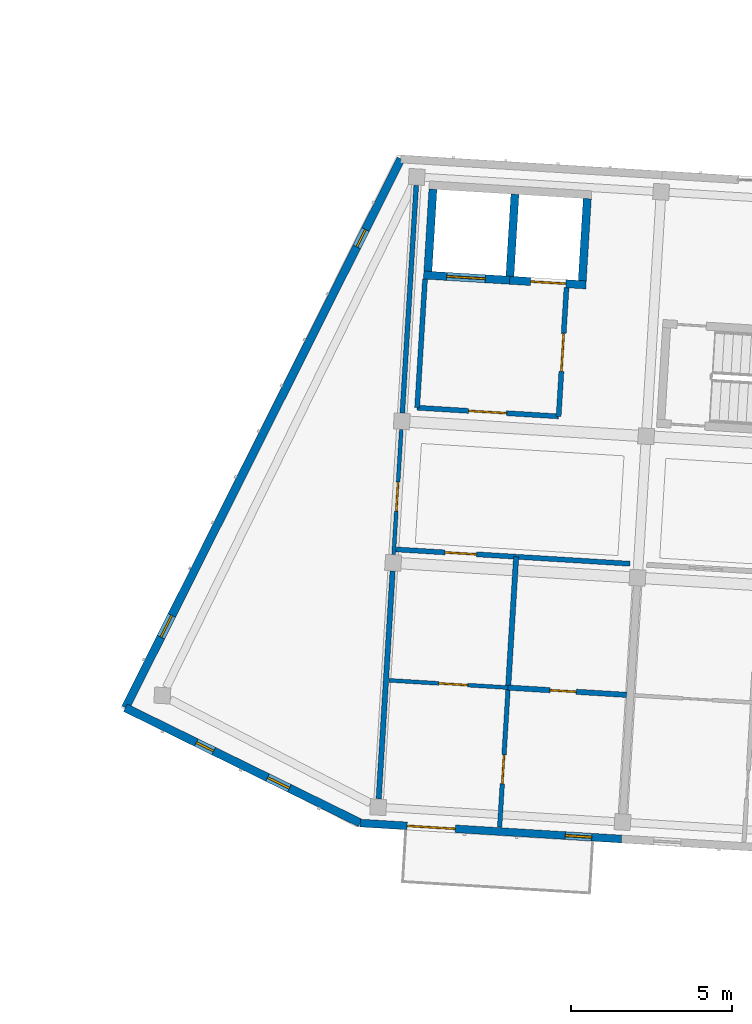
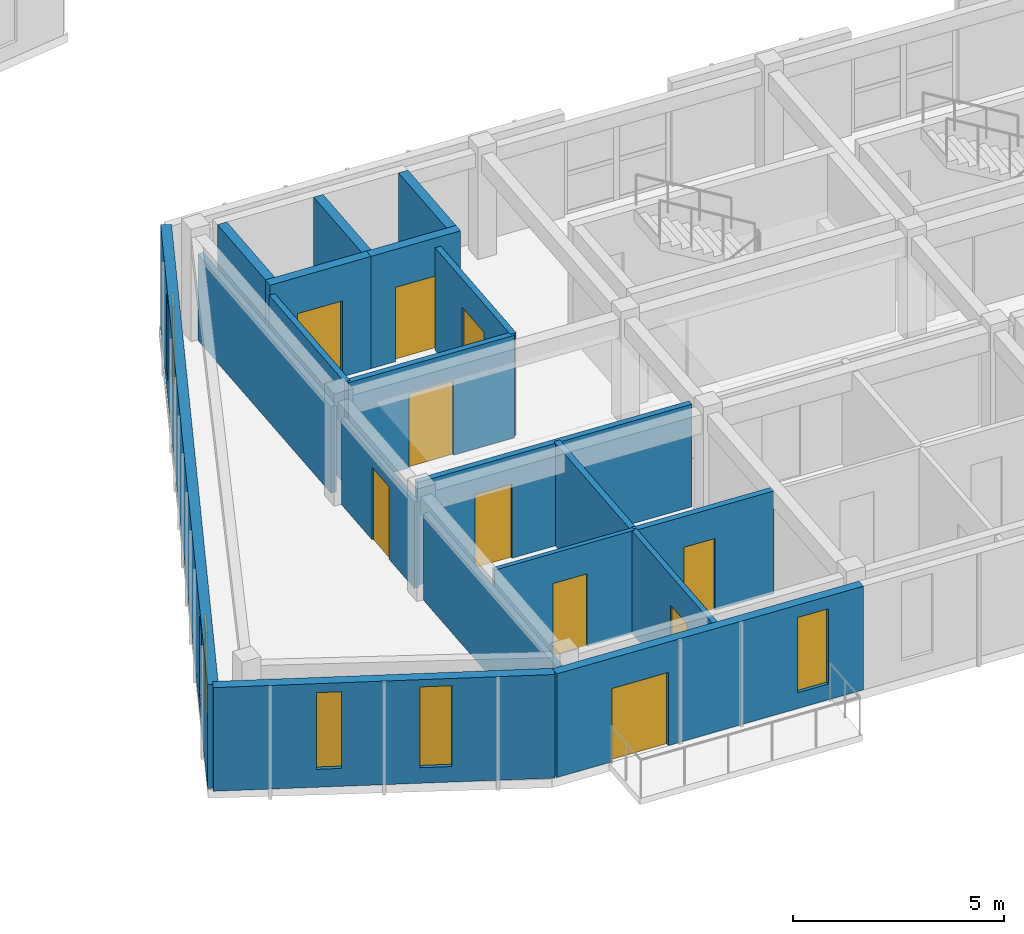
# One storey, part 20 of 66: 19 walls, 10 doors, 5 windows, 15 openings.
"""IFC4 building model written with IfcOpenShell, lengths in metres."""

from ifc_helpers import new_model, si_unit, direction, frame, frame_2d, origin, place, context, subcontext, project, spatial, rectangle, extrude, material, layer, layer_set, type_object, element, fill, save


model = new_model("IFC4")

# Units and contexts
model_context = context("Model", 3, precision=1e-05, world=origin(), true_north=direction((0.0, 1.0)))
body_context = subcontext(model_context, "Body", "Model", "MODEL_VIEW")
ifc_project = project(units=[si_unit("LENGTHUNIT", "METRE"), si_unit("AREAUNIT", "SQUARE_METRE"), si_unit("VOLUMEUNIT", "CUBIC_METRE"), si_unit("PLANEANGLEUNIT", "RADIAN"), si_unit("MASSUNIT", "GRAM", prefix="KILO")], contexts=[model_context])

# Site, building, storey
site_placement = place(None, origin())
site = spatial("IfcSite", under=ifc_project, at=site_placement, CompositionType="ELEMENT")
building_placement = place(site_placement, origin())
building = spatial("IfcBuilding", under=site, at=building_placement, Name="Kestramere Prow Commons", CompositionType="ELEMENT")
storey_placement = place(building_placement, frame((0.0, 0.0, 14.89990234375)))
storey = spatial("IfcBuildingStorey", under=building, at=storey_placement, Name="L04", CompositionType="ELEMENT", Elevation=14.89990234375)

# Wall, openings, windows
ifc_material_1 = material(Name="Weathered Zinc-Titanium Standing-Seam Cladding")
ifc_layer_1 = layer(ifc_material_1, 0.260009765625)
ifc_layer_set_1 = layer_set([ifc_layer_1], Name="Weathered Zinc-Titanium Standing-Seam Cladding")
wall_type_1 = type_object("IfcWallType", Name="EW-PROW-260", PredefinedType="SOLIDWALL", material=ifc_layer_set_1)
wall_1_placement = place(storey_placement, frame((58.94384765625, 46.008056640625, 0.0), z_axis=(0.0, 0.0, 1.0), x_axis=(-0.897775054318, 0.440454256246, 0.0)))
wall_1 = element("IfcWall", 1, at=wall_1_placement, inside=storey, type_object=wall_type_1, Name="Block C L04 PRW-S Facet Wall", PredefinedType="SOLIDWALL", context=body_context, shape_type="SweptSolid", body=[
    extrude(rectangle(XDim=8.120361328125, YDim=0.260009765625, at=frame_2d((4.06005859375, 0.0))), origin(), (0.0, 0.0, 1.0), 3.0),
])
opening_1_placement = place(wall_1_placement, frame((2.449951171875, 0.0, 0.449951171875)))
opening_1 = element("IfcOpeningElement", 2, at=opening_1_placement, cuts=wall_1, Name="Opening WN-10", PredefinedType="OPENING", context=body_context, shape_type="SweptSolid", body=[
    extrude(rectangle(XDim=0.760009765625, YDim=2.340087890625, at=frame_2d((0.3798828125, 1.169921875))), frame((0.0, 0.14501953125, 0.0), z_axis=(0.0, -1.0, 0.0), x_axis=(1.0, 0.0, 0.0)), (0.0, 0.0, 1.0), 0.2900390625),
])
opening_2_placement = place(wall_1_placement, frame((5.0703125, 0.0, 0.52001953125)))
opening_2 = element("IfcOpeningElement", 3, at=opening_2_placement, cuts=wall_1, Name="Opening WN-02", PredefinedType="OPENING", context=body_context, shape_type="SweptSolid", body=[
    extrude(rectangle(XDim=0.60009765625, YDim=2.219970703125, at=frame_2d((0.300048828125, 1.10986328125))), frame((0.0, 0.14501953125, 0.0), z_axis=(0.0, -1.0, 0.0), x_axis=(1.0, 0.0, 0.0)), (0.0, 0.0, 1.0), 0.2900390625),
])
ifc_material_2 = material(Name="Low-E Laminated Double Glazing", Category="glass")
window_type_1 = type_object("IfcWindowType", Name="WN-NAR-600A", PartitioningType="SINGLE_PANEL", PredefinedType="WINDOW", material=ifc_material_2)
window_1_placement = place(opening_2_placement, origin())
window_1 = element("IfcWindow", 4, at=window_1_placement, inside=storey, type_object=window_type_1, Name="WN-C-L04-PRW-S-1", OverallHeight=2.219970703125, OverallWidth=0.60009765625, PartitioningType="SINGLE_PANEL", PredefinedType="WINDOW", context=body_context, shape_type="SweptSolid", body=[
    extrude(rectangle(XDim=0.60009765625, YDim=2.219970703125, at=frame_2d((0.300048828125, 1.10986328125))), frame((0.0, 0.030029296875, 0.0), z_axis=(0.0, -1.0, 0.0), x_axis=(1.0, 0.0, 0.0)), (0.0, 0.0, 1.0), 0.06005859375),
])
fill(opening_2, window_1)
window_type_2 = type_object("IfcWindowType", Name="WN-NAR-760A", PartitioningType="SINGLE_PANEL", PredefinedType="WINDOW", material=ifc_material_2)
window_2_placement = place(opening_1_placement, origin())
window_2 = element("IfcWindow", 5, at=window_2_placement, inside=storey, type_object=window_type_2, Name="WN-C-L04-PRW-S-0", OverallHeight=2.340087890625, OverallWidth=0.760009765625, PartitioningType="SINGLE_PANEL", PredefinedType="WINDOW", context=body_context, shape_type="SweptSolid", body=[
    extrude(rectangle(XDim=0.760009765625, YDim=2.340087890625, at=frame_2d((0.3798828125, 1.169921875))), frame((0.0, 0.030029296875, 0.0), z_axis=(0.0, -1.0, 0.0), x_axis=(1.0, 0.0, 0.0)), (0.0, 0.0, 1.0), 0.06005859375),
])
fill(opening_1, window_2)

wall_2_placement = place(storey_placement, frame((51.653564453125, 49.584716796875, 0.0), z_axis=(0.0, 0.0, 1.0), x_axis=(0.448621989068, 0.893721607059, 0.0)))
wall_2 = element("IfcWall", 6, at=wall_2_placement, inside=storey, type_object=wall_type_1, Name="Block C L04 PRW-N Facet Wall", PredefinedType="SOLIDWALL", context=body_context, shape_type="SweptSolid", body=[
    extrude(rectangle(XDim=19.060546875, YDim=0.260009765625, at=frame_2d((9.5302734375, 0.0))), origin(), (0.0, 0.0, 1.0), 3.0),
])
opening_3_placement = place(wall_2_placement, frame((2.449951171875, 0.0, 0.449951171875)))
opening_3 = element("IfcOpeningElement", 7, at=opening_3_placement, cuts=wall_2, Name="Opening WN-10", PredefinedType="OPENING", context=body_context, shape_type="SweptSolid", body=[
    extrude(rectangle(XDim=0.760009765625, YDim=2.340087890625, at=frame_2d((0.3798828125, 1.169921875))), frame((0.0, 0.14501953125, 0.0), z_axis=(0.0, -1.0, 0.0), x_axis=(1.0, 0.0, 0.0)), (0.0, 0.0, 1.0), 0.2900390625),
])
opening_4_placement = place(wall_2_placement, frame((16.010498046875, 0.0, 0.52001953125)))
opening_4 = element("IfcOpeningElement", 8, at=opening_4_placement, cuts=wall_2, Name="Opening WN-02", PredefinedType="OPENING", context=body_context, shape_type="SweptSolid", body=[
    extrude(rectangle(XDim=0.60009765625, YDim=2.219970703125, at=frame_2d((0.300048828125, 1.10986328125))), frame((0.0, 0.14501953125, 0.0), z_axis=(0.0, -1.0, 0.0), x_axis=(1.0, 0.0, 0.0)), (0.0, 0.0, 1.0), 0.2900390625),
])
window_3_placement = place(opening_4_placement, origin())
window_3 = element("IfcWindow", 9, at=window_3_placement, inside=storey, type_object=window_type_1, Name="WN-C-L04-PRW-N-1", OverallHeight=2.219970703125, OverallWidth=0.60009765625, PartitioningType="SINGLE_PANEL", PredefinedType="WINDOW", context=body_context, shape_type="SweptSolid", body=[
    extrude(rectangle(XDim=0.60009765625, YDim=2.219970703125, at=frame_2d((0.300048828125, 1.10986328125))), frame((0.0, 0.030029296875, 0.0), z_axis=(0.0, -1.0, 0.0), x_axis=(1.0, 0.0, 0.0)), (0.0, 0.0, 1.0), 0.06005859375),
])
fill(opening_4, window_3)
window_4_placement = place(opening_3_placement, origin())
window_4 = element("IfcWindow", 10, at=window_4_placement, inside=storey, type_object=window_type_2, Name="WN-C-L04-PRW-N-0", OverallHeight=2.340087890625, OverallWidth=0.760009765625, PartitioningType="SINGLE_PANEL", PredefinedType="WINDOW", context=body_context, shape_type="SweptSolid", body=[
    extrude(rectangle(XDim=0.760009765625, YDim=2.340087890625, at=frame_2d((0.3798828125, 1.169921875))), frame((0.0, 0.030029296875, 0.0), z_axis=(0.0, -1.0, 0.0), x_axis=(1.0, 0.0, 0.0)), (0.0, 0.0, 1.0), 0.06005859375),
])
fill(opening_3, window_4)

# Wall, openings, door, window
ifc_material_3 = material(Name="Fluoropolymer Standing-Seam Zinc-Aluminium Cladding", Category="aluminium")
ifc_layer_2 = layer(ifc_material_3, 0.239990234375)
ifc_layer_set_2 = layer_set([ifc_layer_2], Name="Fluoropolymer Standing-Seam Zinc-Aluminium Cladding")
wall_type_2 = type_object("IfcWallType", Name="EW-SEAM-240", PredefinedType="SOLIDWALL", material=ifc_layer_set_2)
wall_3_placement = place(storey_placement, frame((67.0537109375, 45.511962890625, 0.0), z_axis=(0.0, 0.0, 1.0), x_axis=(-0.998134248939, 0.061057522844, 0.0)))
wall_3 = element("IfcWall", 11, at=wall_3_placement, inside=storey, type_object=wall_type_2, Name="Block C L04 South Standing-Seam Wall 1", PredefinedType="SOLIDWALL", context=body_context, shape_type="SweptSolid", body=[
    extrude(rectangle(XDim=8.125, YDim=0.239990234375, at=frame_2d((4.0625, 0.0))), origin(), (0.0, 0.0, 1.0), 3.0),
])
opening_5_placement = place(wall_3_placement, frame((5.1689453125, 0.0, 0.0)))
opening_5 = element("IfcOpeningElement", 12, at=opening_5_placement, cuts=wall_3, Name="Opening GD-BAL-01", PredefinedType="OPENING", context=body_context, shape_type="SweptSolid", body=[
    extrude(rectangle(XDim=1.5, YDim=2.1201171875, at=frame_2d((0.75, 1.06005859375))), frame((0.0, 0.135009765625, 0.0), z_axis=(0.0, -1.0, 0.0), x_axis=(1.0, 0.0, 0.0)), (0.0, 0.0, 1.0), 0.27001953125),
])
opening_6_placement = place(wall_3_placement, frame((0.929931640625, 0.0, 0.4599609375)))
opening_6 = element("IfcOpeningElement", 13, at=opening_6_placement, cuts=wall_3, Name="Opening WN-13", PredefinedType="OPENING", context=body_context, shape_type="SweptSolid", body=[
    extrude(rectangle(XDim=0.820068359375, YDim=2.179931640625, at=frame_2d((0.41015625, 1.08984375))), frame((0.0, 0.135009765625, 0.0), z_axis=(0.0, -1.0, 0.0), x_axis=(1.0, 0.0, 0.0)), (0.0, 0.0, 1.0), 0.27001953125),
])
ifc_material_4 = material(Name="Thermally-Broken Anodised Aluminium Glazed", Category="aluminium")
door_type_1 = type_object("IfcDoorType", Name="GD-BAL-1500", OperationType="SLIDING_TO_RIGHT", PredefinedType="DOOR", material=ifc_material_4)
door_1_placement = place(opening_5_placement, origin())
door_1 = element("IfcDoor", 14, at=door_1_placement, inside=storey, type_object=door_type_1, Name="Block C L04 Balcony Door 1", OperationType="SLIDING_TO_RIGHT", OverallHeight=2.1201171875, OverallWidth=1.5, PredefinedType="DOOR", context=body_context, shape_type="SweptSolid", body=[
    extrude(rectangle(XDim=1.5, YDim=2.1201171875, at=frame_2d((0.75, 1.06005859375))), frame((0.0, 0.02490234375, 0.0), z_axis=(0.0, -1.0, 0.0), x_axis=(1.0, 0.0, 0.0)), (0.0, 0.0, 1.0), 0.050048828125),
])
fill(opening_5, door_1)
window_type_3 = type_object("IfcWindowType", Name="WN-NAR-820A", PartitioningType="DOUBLE_PANEL_VERTICAL", PredefinedType="WINDOW", material=ifc_material_2)
window_5_placement = place(opening_6_placement, origin())
window_5 = element("IfcWindow", 15, at=window_5_placement, inside=storey, type_object=window_type_3, Name="WN-C-L04-SR-0", OverallHeight=2.179931640625, OverallWidth=0.820068359375, PartitioningType="SINGLE_PANEL", PredefinedType="WINDOW", context=body_context, shape_type="SweptSolid", body=[
    extrude(rectangle(XDim=0.820068359375, YDim=2.179931640625, at=frame_2d((0.41015625, 1.08984375))), frame((0.0, 0.030029296875, 0.0), z_axis=(0.0, -1.0, 0.0), x_axis=(1.0, 0.0, 0.0)), (0.0, 0.0, 1.0), 0.06005859375),
])
fill(opening_6, window_5)

# Wall, opening, door
ifc_material_5 = material(Name="Concrete C40/50", Category="concrete")
ifc_layer_3 = layer(ifc_material_5, 0.25)
ifc_layer_set_3 = layer_set([ifc_layer_3], Name="Concrete C40/50")
wall_type_3 = type_object("IfcWallType", Name="W-CORE-250", PredefinedType="SHEAR", material=ifc_layer_set_3)
wall_4_placement = place(storey_placement, frame((60.9111328125, 63.019775390625, 0.0), z_axis=(0.0, 0.0, 1.0), x_axis=(0.998134099905, -0.061059959111, 0.0)))
wall_4 = element("IfcWall", 16, at=wall_4_placement, inside=storey, type_object=wall_type_3, Name="Block C L04 Fire Lift Shaft Front Wall", PredefinedType="SHEAR", context=body_context, shape_type="SweptSolid", body=[
    extrude(rectangle(XDim=2.6748046875, YDim=0.25, at=frame_2d((1.33740234375, 0.0))), origin(), (0.0, 0.0, 1.0), 3.25),
])
opening_7_placement = place(wall_4_placement, frame((0.719970703125, 0.0, 0.0)))
opening_7 = element("IfcOpeningElement", 17, at=opening_7_placement, cuts=wall_4, Name="Opening LD-02", PredefinedType="OPENING", context=body_context, shape_type="SweptSolid", body=[
    extrude(rectangle(XDim=1.199951171875, YDim=2.199951171875, at=frame_2d((0.60009765625, 1.10009765625))), frame((0.0, 0.139892578125, 0.0), z_axis=(0.0, -1.0, 0.0), x_axis=(1.0, 0.0, 0.0)), (0.0, 0.0, 1.0), 0.280029296875),
])
ifc_material_6 = material(Name="Brushed Stainless Steel 316", Category="steel")
door_type_2 = type_object("IfcDoorType", Name="LD-02", OperationType="DOUBLE_DOOR_SLIDING", PredefinedType="DOOR", material=ifc_material_6)
door_2_placement = place(opening_7_placement, origin())
door_2 = element("IfcDoor", 18, at=door_2_placement, inside=storey, type_object=door_type_2, Name="FL-C1 L04 Lift Landing Door", OperationType="DOUBLE_DOOR_SLIDING", OverallHeight=2.199951171875, OverallWidth=1.199951171875, PredefinedType="DOOR", context=body_context, shape_type="SweptSolid", body=[
    extrude(rectangle(XDim=1.199951171875, YDim=2.199951171875, at=frame_2d((0.60009765625, 1.10009765625))), frame((0.0, 0.02490234375, 0.0), z_axis=(0.0, -1.0, 0.0), x_axis=(1.0, 0.0, 0.0)), (0.0, 0.0, 1.0), 0.050048828125),
])
fill(opening_7, door_2)

wall_5_placement = place(storey_placement, frame((63.5810546875, 62.8564453125, 0.0), z_axis=(0.0, 0.0, 1.0), x_axis=(0.998134103342, -0.061059902923, 0.0)))
wall_5 = element("IfcWall", 19, at=wall_5_placement, inside=storey, type_object=wall_type_3, Name="Block C L04 Passenger Lift Shaft Front Wall", PredefinedType="SHEAR", context=body_context, shape_type="SweptSolid", body=[
    extrude(rectangle(XDim=2.375, YDim=0.25, at=frame_2d((1.1875, 0.0))), origin(), (0.0, 0.0, 1.0), 3.25),
])
opening_8_placement = place(wall_5_placement, frame((0.64990234375, 0.0, 0.0)))
opening_8 = element("IfcOpeningElement", 20, at=opening_8_placement, cuts=wall_5, Name="Opening LD-01", PredefinedType="OPENING", context=body_context, shape_type="SweptSolid", body=[
    extrude(rectangle(XDim=1.10009765625, YDim=2.14990234375, at=frame_2d((0.550048828125, 1.074951171875))), frame((0.0, 0.139892578125, 0.0), z_axis=(0.0, -1.0, 0.0), x_axis=(1.0, 0.0, 0.0)), (0.0, 0.0, 1.0), 0.280029296875),
])
ifc_material_7 = material(Name="Brushed Stainless Steel 304", Category="steel")
door_type_3 = type_object("IfcDoorType", Name="LD-01", OperationType="DOUBLE_DOOR_SLIDING", PredefinedType="DOOR", material=ifc_material_7)
door_3_placement = place(opening_8_placement, origin())
door_3 = element("IfcDoor", 21, at=door_3_placement, inside=storey, type_object=door_type_3, Name="PL-C2 L04 Lift Landing Door", OperationType="DOUBLE_DOOR_SLIDING", OverallHeight=2.14990234375, OverallWidth=1.10009765625, PredefinedType="DOOR", context=body_context, shape_type="SweptSolid", body=[
    extrude(rectangle(XDim=1.10009765625, YDim=2.14990234375, at=frame_2d((0.550048828125, 1.074951171875))), frame((0.0, 0.02490234375, 0.0), z_axis=(0.0, -1.0, 0.0), x_axis=(1.0, 0.0, 0.0)), (0.0, 0.0, 1.0), 0.050048828125),
])
fill(opening_8, door_3)

# Walls
wall_6_placement = place(storey_placement, frame((61.04345703125, 63.13671875, 0.0), z_axis=(0.0, 0.0, 1.0), x_axis=(0.061078919587, 0.998132939834, 0.0)))
element("IfcWall", 22, at=wall_6_placement, inside=storey, type_object=wall_type_3, Name="Block C L04 Lift Core Side Wall L", PredefinedType="SHEAR", context=body_context, shape_type="SweptSolid", body=[
    extrude(rectangle(XDim=2.55029296875, YDim=0.25, at=frame_2d((1.275146484375, 0.0))), origin(), (0.0, 0.0, 1.0), 3.25),
])
wall_7_placement = place(storey_placement, frame((63.5888671875, 62.981201171875, 0.0), z_axis=(0.0, 0.0, 1.0), x_axis=(0.060989368901, 0.998138415692, 0.0)))
element("IfcWall", 23, at=wall_7_placement, inside=storey, type_object=wall_type_3, Name="Block C L04 Lift Core Side Wall M", PredefinedType="SHEAR", context=body_context, shape_type="SweptSolid", body=[
    extrude(rectangle(XDim=2.5498046875, YDim=0.25, at=frame_2d((1.27490234375, 0.0))), origin(), (0.0, 0.0, 1.0), 3.25),
])
wall_8_placement = place(storey_placement, frame((65.83447265625, 62.84375, 0.0), z_axis=(0.0, 0.0, 1.0), x_axis=(0.061084756616, 0.998132582631, 0.0)))
element("IfcWall", 24, at=wall_8_placement, inside=storey, type_object=wall_type_3, Name="Block C L04 Lift Core Side Wall R", PredefinedType="SHEAR", context=body_context, shape_type="SweptSolid", body=[
    extrude(rectangle(XDim=2.550048828125, YDim=0.25, at=frame_2d((1.27490234375, 0.0))), origin(), (0.0, 0.0, 1.0), 3.25),
])

# Wall, opening, door
ifc_material_8 = material(Name="Fire-Rated Calcium Silicate Wall")
ifc_layer_4 = layer(ifc_material_8, 0.155029296875)
ifc_layer_set_4 = layer_set([ifc_layer_4], Name="Fire-Rated Calcium Silicate Wall")
wall_type_4 = type_object("IfcWallType", Name="W-FIRE-150", PredefinedType="PARTITIONING", material=ifc_layer_set_4)
wall_9_placement = place(storey_placement, frame((60.709228515625, 58.8994140625, 0.0), z_axis=(0.0, 0.0, 1.0), x_axis=(0.998132276607, -0.061089756882, 0.0)))
wall_9 = element("IfcWall", 25, at=wall_9_placement, inside=storey, type_object=wall_type_4, Name="Interior Partition PW-C-L04-FFL-S", PredefinedType="PARTITIONING", context=body_context, shape_type="SweptSolid", body=[
    extrude(rectangle(XDim=4.400146484375, YDim=0.155029296875, at=frame_2d((2.2001953125, 0.0))), origin(), (0.0, 0.0, 1.0), 2.97021484375),
])
opening_9_placement = place(wall_9_placement, frame((1.60009765625, 0.0, 0.0)))
opening_9 = element("IfcOpeningElement", 26, at=opening_9_placement, cuts=wall_9, Name="Opening ID-03", PredefinedType="OPENING", context=body_context, shape_type="SweptSolid", body=[
    extrude(rectangle(XDim=1.179931640625, YDim=2.14990234375, at=frame_2d((0.58984375, 1.074951171875))), frame((0.0, 0.092529296875, 0.0), z_axis=(0.0, -1.0, 0.0), x_axis=(1.0, 0.0, 0.0)), (0.0, 0.0, 1.0), 0.18505859375),
])
ifc_material_9 = material(Name="Fire-Rated Glazed Smoke-Stop Door")
door_type_4 = type_object("IfcDoorType", Name="FD-LB-01", OperationType="NOTDEFINED", PredefinedType="DOOR", material=ifc_material_9)
door_4_placement = place(opening_9_placement, origin())
door_4 = element("IfcDoor", 27, at=door_4_placement, inside=storey, type_object=door_type_4, Name="Interior Door DR-C-L04-FFL", OperationType="SINGLE_SWING_LEFT", OverallHeight=2.14990234375, OverallWidth=1.179931640625, PredefinedType="DOOR", context=body_context, shape_type="SweptSolid", body=[
    extrude(rectangle(XDim=1.179931640625, YDim=2.14990234375, at=frame_2d((0.58984375, 1.074951171875))), frame((0.0, 0.02490234375, 0.0), z_axis=(0.0, -1.0, 0.0), x_axis=(1.0, 0.0, 0.0)), (0.0, 0.0, 1.0), 0.050048828125),
])
fill(opening_9, door_4)

# Wall
wall_10_placement = place(storey_placement, frame((60.709228515625, 58.8994140625, 0.0), z_axis=(0.0, 0.0, 1.0), x_axis=(0.061036844229, 0.998135513669, 0.0)))
element("IfcWall", 28, at=wall_10_placement, inside=storey, type_object=wall_type_4, Name="Interior Partition PW-C-L04-FFL-W", PredefinedType="PARTITIONING", context=body_context, shape_type="SweptSolid", body=[
    extrude(rectangle(XDim=4.0, YDim=0.155029296875, at=frame_2d((2.0, 0.0))), origin(), (0.0, 0.0, 1.0), 2.97021484375),
])

# Wall, opening, door
wall_11_placement = place(storey_placement, frame((65.10107421875, 58.630615234375, 0.0), z_axis=(0.0, 0.0, 1.0), x_axis=(0.061033125904, 0.99813574104, 0.0)))
wall_11 = element("IfcWall", 29, at=wall_11_placement, inside=storey, type_object=wall_type_4, Name="Interior Partition PW-C-L04-FFL-E", PredefinedType="PARTITIONING", context=body_context, shape_type="SweptSolid", body=[
    extrude(rectangle(XDim=4.000244140625, YDim=0.155029296875, at=frame_2d((2.0, 0.0))), origin(), (0.0, 0.0, 1.0), 2.97021484375),
])
opening_10_placement = place(wall_11_placement, frame((1.39990234375, 0.0, 0.0)))
opening_10 = element("IfcOpeningElement", 30, at=opening_10_placement, cuts=wall_11, Name="Opening ID-03", PredefinedType="OPENING", context=body_context, shape_type="SweptSolid", body=[
    extrude(rectangle(XDim=1.179931640625, YDim=2.14990234375, at=frame_2d((0.58984375, 1.074951171875))), frame((0.0, 0.092529296875, 0.0), z_axis=(0.0, -1.0, 0.0), x_axis=(1.0, 0.0, 0.0)), (0.0, 0.0, 1.0), 0.18505859375),
])
door_5_placement = place(opening_10_placement, origin())
door_5 = element("IfcDoor", 31, at=door_5_placement, inside=storey, type_object=door_type_4, Name="Interior Door DR-C-L04-FFL-PL", OperationType="SINGLE_SWING_LEFT", OverallHeight=2.14990234375, OverallWidth=1.179931640625, PredefinedType="DOOR", context=body_context, shape_type="SweptSolid", body=[
    extrude(rectangle(XDim=1.179931640625, YDim=2.14990234375, at=frame_2d((0.58984375, 1.074951171875))), frame((0.0, 0.02490234375, 0.0), z_axis=(0.0, -1.0, 0.0), x_axis=(1.0, 0.0, 0.0)), (0.0, 0.0, 1.0), 0.050048828125),
])
fill(opening_10, door_5)

wall_12_placement = place(storey_placement, frame((60.0595703125, 54.500732421875, 0.0), z_axis=(0.0, 0.0, 1.0), x_axis=(0.998134543433, -0.06105270843, 0.0)))
wall_12 = element("IfcWall", 32, at=wall_12_placement, inside=storey, type_object=wall_type_4, Name="Interior Partition PW-C-L04-CS-0", PredefinedType="PARTITIONING", context=body_context, shape_type="SweptSolid", body=[
    extrude(rectangle(XDim=7.27001953125, YDim=0.155029296875, at=frame_2d((3.635009765625, 0.0))), origin(), (0.0, 0.0, 1.0), 2.97021484375),
])
opening_11_placement = place(wall_12_placement, frame((1.52001953125, 0.0, 0.0)))
opening_11 = element("IfcOpeningElement", 33, at=opening_11_placement, cuts=wall_12, Name="Opening ID-04", PredefinedType="OPENING", context=body_context, shape_type="SweptSolid", body=[
    extrude(rectangle(XDim=0.97998046875, YDim=2.14990234375, at=frame_2d((0.489990234375, 1.074951171875))), frame((0.0, 0.092529296875, 0.0), z_axis=(0.0, -1.0, 0.0), x_axis=(1.0, 0.0, 0.0)), (0.0, 0.0, 1.0), 0.18505859375),
])
ifc_material_10 = material(Name="Hardwood Fire-Rated Flat Entrance Door", Category="wood")
door_type_5 = type_object("IfcDoorType", Name="FD-ENT-01", OperationType="NOTDEFINED", PredefinedType="DOOR", material=ifc_material_10)
door_6_placement = place(opening_11_placement, origin())
door_6 = element("IfcDoor", 34, at=door_6_placement, inside=storey, type_object=door_type_5, Name="Interior Door DR-C-L04-ENT-S0", OperationType="SINGLE_SWING_LEFT", OverallHeight=2.14990234375, OverallWidth=0.97998046875, PredefinedType="DOOR", context=body_context, shape_type="SweptSolid", body=[
    extrude(rectangle(XDim=0.97998046875, YDim=2.14990234375, at=frame_2d((0.489990234375, 1.074951171875))), frame((0.0, 0.02490234375, 0.0), z_axis=(0.0, -1.0, 0.0), x_axis=(1.0, 0.0, 0.0)), (0.0, 0.0, 1.0), 0.050048828125),
])
fill(opening_11, door_6)

ifc_material_11 = material(Name="Lightweight Blockwork and Plaster", Category="masonry")
ifc_layer_5 = layer(ifc_material_11, 0.1201171875)
ifc_layer_set_5 = layer_set([ifc_layer_5], Name="Lightweight Blockwork and Plaster")
wall_type_5 = type_object("IfcWallType", Name="W-PART-120", PredefinedType="PARTITIONING", material=ifc_layer_set_5)
wall_13_placement = place(storey_placement, frame((59.979736328125, 54.345458984375, 0.0), z_axis=(0.0, 0.0, 1.0), x_axis=(0.061101107425, 0.998131581843, 0.0)))
wall_13 = element("IfcWall", 35, at=wall_13_placement, inside=storey, type_object=wall_type_5, Name="Interior Partition PW-C-L04-PROW-ACC", PredefinedType="PARTITIONING", context=body_context, shape_type="SweptSolid", body=[
    extrude(rectangle(XDim=3.8798828125, YDim=0.1201171875, at=frame_2d((1.93994140625, 0.0))), origin(), (0.0, 0.0, 1.0), 2.5),
])
opening_12_placement = place(wall_13_placement, frame((1.35009765625, 0.0, 0.0)))
opening_12 = element("IfcOpeningElement", 36, at=opening_12_placement, cuts=wall_13, Name="Opening ID-08", PredefinedType="OPENING", context=body_context, shape_type="SweptSolid", body=[
    extrude(rectangle(XDim=0.89990234375, YDim=2.10009765625, at=frame_2d((0.449951171875, 1.050048828125))), frame((0.0, 0.074951171875, 0.0), z_axis=(0.0, -1.0, 0.0), x_axis=(1.0, 0.0, 0.0)), (0.0, 0.0, 1.0), 0.150146484375),
])
ifc_material_12 = material(Name="Engineered Timber Flush Door", Category="wood")
door_type_6 = type_object("IfcDoorType", Name="D-RM-01", OperationType="NOTDEFINED", PredefinedType="DOOR", material=ifc_material_12)
door_7_placement = place(opening_12_placement, origin())
door_7 = element("IfcDoor", 37, at=door_7_placement, inside=storey, type_object=door_type_6, Name="Interior Door DR-C-L04-PROW", OperationType="SINGLE_SWING_LEFT", OverallHeight=2.10009765625, OverallWidth=0.89990234375, PredefinedType="DOOR", context=body_context, shape_type="SweptSolid", body=[
    extrude(rectangle(XDim=0.89990234375, YDim=2.10009765625, at=frame_2d((0.449951171875, 1.050048828125))), frame((0.0, 0.02490234375, 0.0), z_axis=(0.0, -1.0, 0.0), x_axis=(1.0, 0.0, 0.0)), (0.0, 0.0, 1.0), 0.050048828125),
])
fill(opening_12, door_7)

wall_14_placement = place(storey_placement, frame((59.8310546875, 50.437255859375, 0.0), z_axis=(0.0, 0.0, 1.0), x_axis=(0.998133408508, -0.061071260176, 0.0)))
wall_14 = element("IfcWall", 38, at=wall_14_placement, inside=storey, type_object=wall_type_5, Name="Interior Partition PW-C-L04-MIDS1-0", PredefinedType="PARTITIONING", context=body_context, shape_type="SweptSolid", body=[
    extrude(rectangle(XDim=3.709716796875, YDim=0.1201171875, at=frame_2d((1.85498046875, 0.0))), origin(), (0.0, 0.0, 1.0), 2.97021484375),
])
opening_13_placement = place(wall_14_placement, frame((1.550048828125, 0.0, 0.0)))
opening_13 = element("IfcOpeningElement", 39, at=opening_13_placement, cuts=wall_14, Name="Opening ID-08", PredefinedType="OPENING", context=body_context, shape_type="SweptSolid", body=[
    extrude(rectangle(XDim=0.89990234375, YDim=2.10009765625, at=frame_2d((0.449951171875, 1.050048828125))), frame((0.0, 0.074951171875, 0.0), z_axis=(0.0, -1.0, 0.0), x_axis=(1.0, 0.0, 0.0)), (0.0, 0.0, 1.0), 0.150146484375),
])
door_8_placement = place(opening_13_placement, origin())
door_8 = element("IfcDoor", 40, at=door_8_placement, inside=storey, type_object=door_type_6, Name="Interior Door DR-C-L04-KL-S0", OperationType="SINGLE_SWING_RIGHT", OverallHeight=2.10009765625, OverallWidth=0.89990234375, PredefinedType="DOOR", context=body_context, shape_type="SweptSolid", body=[
    extrude(rectangle(XDim=0.89990234375, YDim=2.10009765625, at=frame_2d((0.449951171875, 1.050048828125))), frame((0.0, 0.02490234375, 0.0), z_axis=(0.0, -1.0, 0.0), x_axis=(1.0, 0.0, 0.0)), (0.0, 0.0, 1.0), 0.050048828125),
])
fill(opening_13, door_8)

ifc_material_13 = material(Name="Masonry Compartment Wall", Category="masonry")
ifc_layer_6 = layer(ifc_material_13, 0.139892578125)
ifc_layer_set_6 = layer_set([ifc_layer_6], Name="Masonry Compartment Wall")
wall_type_6 = type_object("IfcWallType", Name="W-PART-140", PredefinedType="PARTITIONING", material=ifc_layer_set_6)
wall_15_placement = place(storey_placement, frame((63.26904296875, 45.878662109375, 0.0), z_axis=(0.0, 0.0, 1.0), x_axis=(0.06103343432, 0.998135722182, 0.0)))
wall_15 = element("IfcWall", 41, at=wall_15_placement, inside=storey, type_object=wall_type_6, Name="Interior Partition PW-C-L04-LB-S0", PredefinedType="PARTITIONING", context=body_context, shape_type="SweptSolid", body=[
    extrude(rectangle(XDim=4.340087890625, YDim=0.139892578125, at=frame_2d((2.169921875, 0.0))), origin(), (0.0, 0.0, 1.0), 2.97021484375),
])
opening_14_placement = place(wall_15_placement, frame((1.35009765625, 0.0, 0.0)))
opening_14 = element("IfcOpeningElement", 42, at=opening_14_placement, cuts=wall_15, Name="Opening ID-08", PredefinedType="OPENING", context=body_context, shape_type="SweptSolid", body=[
    extrude(rectangle(XDim=0.89990234375, YDim=2.10009765625, at=frame_2d((0.449951171875, 1.050048828125))), frame((0.0, 0.0849609375, 0.0), z_axis=(0.0, -1.0, 0.0), x_axis=(1.0, 0.0, 0.0)), (0.0, 0.0, 1.0), 0.169921875),
])
door_9_placement = place(opening_14_placement, origin())
door_9 = element("IfcDoor", 43, at=door_9_placement, inside=storey, type_object=door_type_6, Name="Interior Door DR-C-L04-BED-S0", OperationType="SINGLE_SWING_LEFT", OverallHeight=2.10009765625, OverallWidth=0.89990234375, PredefinedType="DOOR", context=body_context, shape_type="SweptSolid", body=[
    extrude(rectangle(XDim=0.89990234375, YDim=2.10009765625, at=frame_2d((0.449951171875, 1.050048828125))), frame((0.0, 0.02490234375, 0.0), z_axis=(0.0, -1.0, 0.0), x_axis=(1.0, 0.0, 0.0)), (0.0, 0.0, 1.0), 0.050048828125),
])
fill(opening_14, door_9)

# Walls
ifc_layer_7 = layer(ifc_material_13, 0.14990234375)
ifc_layer_set_7 = layer_set([ifc_layer_7], Name="Masonry Compartment Wall")
wall_type_7 = type_object("IfcWallType", Name="W-PART-150", PredefinedType="PARTITIONING", material=ifc_layer_set_7)
wall_16_placement = place(storey_placement, frame((60.24853515625, 58.737060546875, 0.0), z_axis=(0.0, 0.0, 1.0), x_axis=(0.061034344288, 0.998135666539, 0.0)))
element("IfcWall", 44, at=wall_16_placement, inside=storey, type_object=wall_type_7, Name="Interior Partition PW-C-L04-PRW-N", PredefinedType="PARTITIONING", context=body_context, shape_type="SweptSolid", body=[
    extrude(rectangle(XDim=7.080078125, YDim=0.14990234375, at=frame_2d((3.5400390625, 0.0))), origin(), (0.0, 0.0, 1.0), 2.5),
])
ifc_material_14 = material(Name="Waterproof Sanitary Masonry Wall", Category="masonry")
ifc_layer_8 = layer(ifc_material_14, 0.1650390625)
ifc_layer_set_8 = layer_set([ifc_layer_8], Name="Waterproof Sanitary Masonry Wall")
wall_type_8 = type_object("IfcWallType", Name="W-PLUMB-150", PredefinedType="PLUMBINGWALL", material=ifc_layer_set_8)
wall_17_placement = place(storey_placement, frame((59.515869140625, 46.759521484375, 0.0), z_axis=(0.0, 0.0, 1.0), x_axis=(0.061034344288, 0.998135666539, 0.0)))
element("IfcWall", 45, at=wall_17_placement, inside=storey, type_object=wall_type_8, Name="Interior Partition PW-C-L04-PRWW-S", PredefinedType="PLUMBINGWALL", context=body_context, shape_type="SweptSolid", body=[
    extrude(rectangle(XDim=7.080078125, YDim=0.1650390625, at=frame_2d((3.5400390625, 0.0))), origin(), (0.0, 0.0, 1.0), 2.5),
])

# Wall, opening, door
wall_18_placement = place(storey_placement, frame((63.533935546875, 50.210693359375, 0.0), z_axis=(0.0, 0.0, 1.0), x_axis=(0.998132682596, -0.061083123148, 0.0)))
wall_18 = element("IfcWall", 46, at=wall_18_placement, inside=storey, type_object=wall_type_8, Name="Interior Partition PW-C-L04-MIDS2-0", PredefinedType="PLUMBINGWALL", context=body_context, shape_type="SweptSolid", body=[
    extrude(rectangle(XDim=3.68505859375, YDim=0.1650390625, at=frame_2d((1.842529296875, 0.0))), origin(), (0.0, 0.0, 1.0), 2.97021484375),
])
opening_15_placement = place(wall_18_placement, frame((1.300048828125, 0.0, 0.0)))
opening_15 = element("IfcOpeningElement", 47, at=opening_15_placement, cuts=wall_18, Name="Opening ID-11", PredefinedType="OPENING", context=body_context, shape_type="SweptSolid", body=[
    extrude(rectangle(XDim=0.820068359375, YDim=2.080078125, at=frame_2d((0.41015625, 1.0400390625))), frame((0.0, 0.097412109375, 0.0), z_axis=(0.0, -1.0, 0.0), x_axis=(1.0, 0.0, 0.0)), (0.0, 0.0, 1.0), 0.195068359375),
])
ifc_material_15 = material(Name="Moisture-Resistant Timber Bathroom Door", Category="wood")
door_type_7 = type_object("IfcDoorType", Name="D-BT-01", OperationType="NOTDEFINED", PredefinedType="DOOR", material=ifc_material_15)
door_10_placement = place(opening_15_placement, origin())
door_10 = element("IfcDoor", 48, at=door_10_placement, inside=storey, type_object=door_type_7, Name="Interior Door DR-C-L04-BTH-S0", OperationType="SINGLE_SWING_LEFT", OverallHeight=2.080078125, OverallWidth=0.820068359375, PredefinedType="DOOR", context=body_context, shape_type="SweptSolid", body=[
    extrude(rectangle(XDim=0.820068359375, YDim=2.080078125, at=frame_2d((0.41015625, 1.0400390625))), frame((0.0, 0.02490234375, 0.0), z_axis=(0.0, -1.0, 0.0), x_axis=(1.0, 0.0, 0.0)), (0.0, 0.0, 1.0), 0.050048828125),
])
fill(opening_15, door_10)

# Wall
wall_19_placement = place(storey_placement, frame((63.533935546875, 50.210693359375, 0.0), z_axis=(0.0, 0.0, 1.0), x_axis=(0.061067374954, 0.99813364622, 0.0)))
element("IfcWall", 49, at=wall_19_placement, inside=storey, type_object=wall_type_8, Name="Interior Partition PW-C-L04-KB-S0", PredefinedType="PLUMBINGWALL", context=body_context, shape_type="SweptSolid", body=[
    extrude(rectangle(XDim=4.06982421875, YDim=0.1650390625, at=frame_2d((2.034912109375, 0.0))), origin(), (0.0, 0.0, 1.0), 2.97021484375),
])

save(model, "model.ifc")
